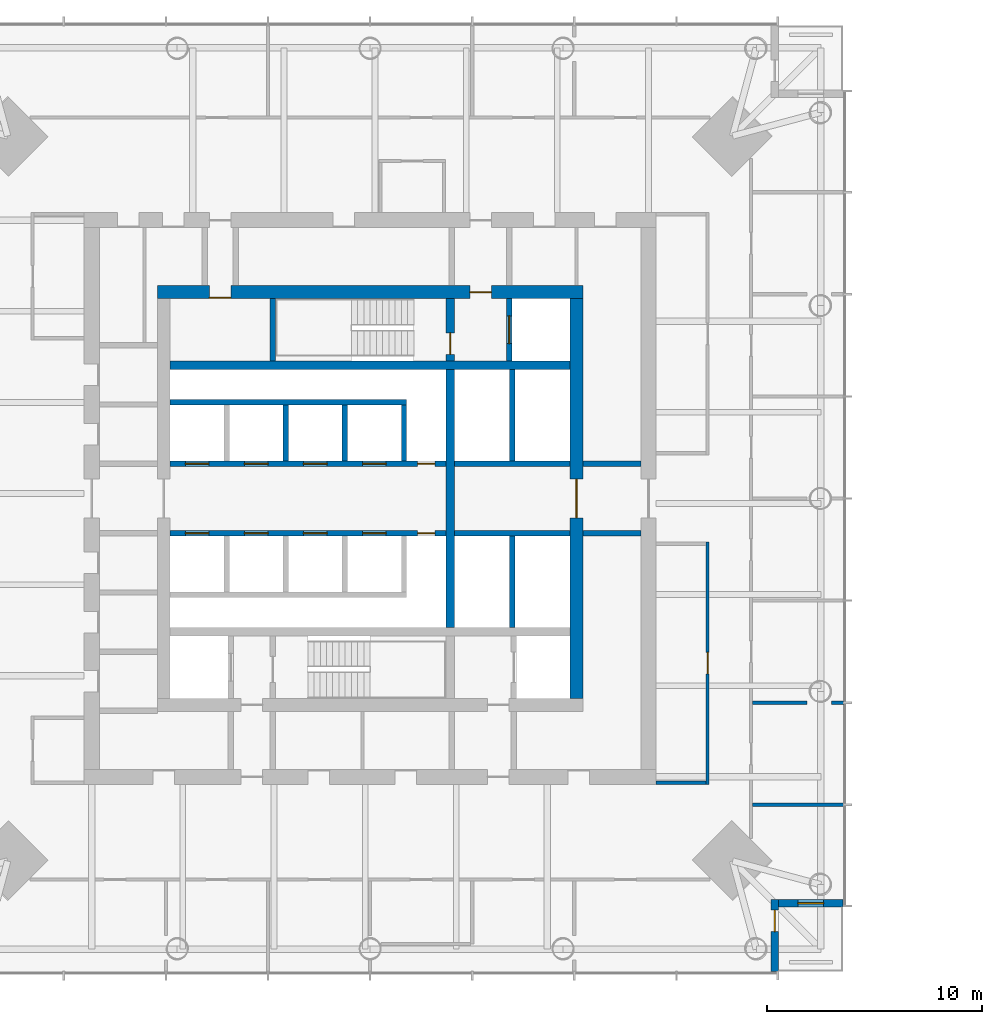
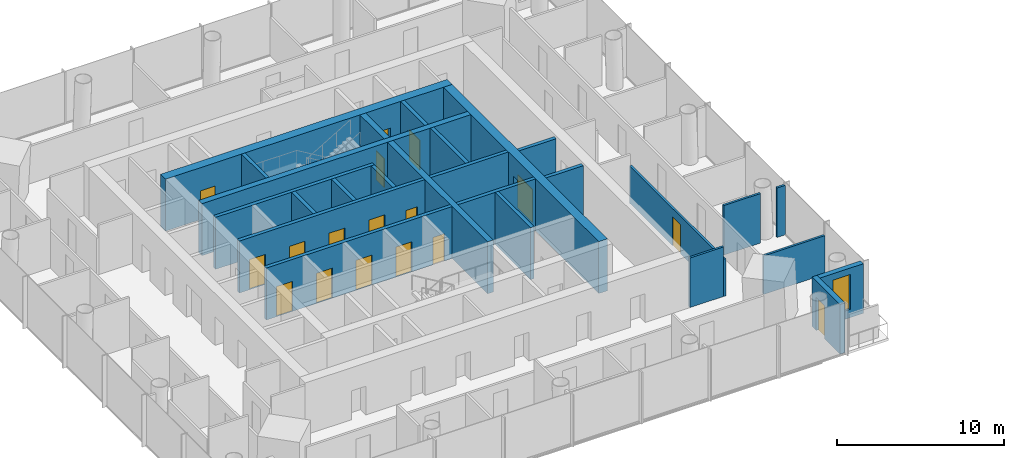
# One storey, part 10 of 19: 26 walls, 17 doors, 1 window, 18 openings.
"""IFC4 building model written with IfcOpenShell, lengths in metres."""

from ifc_helpers import new_model, si_unit, direction, frame, frame_2d, origin, place, context, subcontext, project, spatial, rectangle, extrude, material, layer, layer_set, type_object, element, fill, save


model = new_model("IFC4")

# Units and contexts
model_context = context("Model", 3, precision=1e-05, world=origin(), true_north=direction((0.0, 1.0)))
body_context = subcontext(model_context, "Body", "Model", "MODEL_VIEW")
ifc_project = project(units=[si_unit("LENGTHUNIT", "METRE"), si_unit("AREAUNIT", "SQUARE_METRE"), si_unit("VOLUMEUNIT", "CUBIC_METRE"), si_unit("PLANEANGLEUNIT", "RADIAN"), si_unit("MASSUNIT", "GRAM", prefix="KILO")], contexts=[model_context])

# Site, building, storey
site_placement = place(None, origin())
site = spatial("IfcSite", under=ifc_project, at=site_placement, CompositionType="ELEMENT")
building_placement = place(site_placement, origin())
building = spatial("IfcBuilding", under=site, at=building_placement, Name="Ostroluk Exchange", CompositionType="ELEMENT")
storey_placement = place(building_placement, frame((0.0, 0.0, 116.0)))
storey = spatial("IfcBuildingStorey", under=building, at=storey_placement, Name="L29", CompositionType="ELEMENT", Elevation=116.0)

# Walls
ifc_material_1 = material(Name="Concrete blockwork", Category="masonry")
ifc_layer_1 = layer(ifc_material_1, 0.25)
ifc_layer_set_1 = layer_set([ifc_layer_1], Name="Blockwork stair enclosure wall 250")
wall_type_1 = type_object("IfcWallType", Name="Blockwork stair enclosure wall 250", PredefinedType="SOLIDWALL", material=ifc_layer_set_1)
for number, where, z_axis, x_axis, name in (
    (1, (54.89990234375, 44.375, 0.0), (0.0, 0.0, 1.0), (1.0, 0.0, 0.0), "Lift lobby enclosure wall"),
    (2, (54.89990234375, 47.625, 0.0), (0.0, 0.0, 1.0), (1.0, 0.0, 0.0), "Lift lobby enclosure wall"),
):
    element("IfcWall", number, at=place(storey_placement, frame(where, z_axis=z_axis, x_axis=x_axis)), inside=storey, type_object=wall_type_1, Name=name, PredefinedType="SOLIDWALL", context=body_context, shape_type="SweptSolid", body=[
        extrude(rectangle(XDim=2.7001953125, YDim=0.25, at=frame_2d((1.35009765625, 0.0))), origin(), (0.0, 0.0, 1.0), 3.6201171875),
    ])
ifc_material_2 = material(Name="Concrete C50/60", Category="concrete")
ifc_layer_2 = layer(ifc_material_2, 0.39990234375)
ifc_layer_set_2 = layer_set([ifc_layer_2], Name="Core cross wall 400 C50/60")
wall_type_2 = type_object("IfcWallType", Name="Core cross wall 400 C50/60", PredefinedType="SHEAR", material=ifc_layer_set_2)
wall_1_placement = place(storey_placement, frame((35.699951171875, 52.199951171875, 0.0), z_axis=(0.0, 0.0, 1.0), x_axis=(1.0, 0.0, 0.0)))
element("IfcWall", 3, at=wall_1_placement, inside=storey, type_object=wall_type_2, Name="T1 core wall XN", PredefinedType="SHEAR", context=body_context, shape_type="SweptSolid", body=[
    extrude(rectangle(XDim=18.60009765625, YDim=0.39990234375, at=frame_2d((9.300048828125, 0.0))), origin(), (0.0, 0.0, 1.0), 3.800048828125),
])
wall_2_placement = place(storey_placement, frame((48.72998046875, 40.0, 0.0), z_axis=(0.0, 0.0, 1.0), x_axis=(0.0, 1.0, 0.0)))
element("IfcWall", 4, at=wall_2_placement, inside=storey, type_object=wall_type_2, Name="T1 core wall YE2", PredefinedType="SHEAR", context=body_context, shape_type="SweptSolid", body=[
    extrude(rectangle(XDim=12.0, YDim=0.39990234375, at=frame_2d((6.0, 0.0))), origin(), (0.0, 0.0, 1.0), 3.800048828125),
])

# Wall, opening, door
wall_3_placement = place(storey_placement, frame((48.72998046875, 52.39990234375, 0.0), z_axis=(0.0, 0.0, 1.0), x_axis=(0.0, 1.0, 0.0)))
wall_3 = element("IfcWall", 5, at=wall_3_placement, inside=storey, type_object=wall_type_2, Name="T1 core wall YE3", PredefinedType="SHEAR", context=body_context, shape_type="SweptSolid", body=[
    extrude(rectangle(XDim=2.900146484375, YDim=0.39990234375, at=frame_2d((1.4501953125, 0.0))), origin(), (0.0, 0.0, 1.0), 3.800048828125),
])
opening_1_placement = place(wall_3_placement, frame((0.300048828125, 0.0, 0.0)))
opening_1 = element("IfcOpeningElement", 6, at=opening_1_placement, cuts=wall_3, Name="Opening FD60", PredefinedType="OPENING", context=body_context, shape_type="SweptSolid", body=[
    extrude(rectangle(XDim=1.0, YDim=2.10009765625, at=frame_2d((0.5, 1.050048828125))), frame((0.0, 0.2099609375, 0.0), z_axis=(0.0, -1.0, 0.0), x_axis=(1.0, 0.0, 0.0)), (0.0, 0.0, 1.0), 0.419921875),
])
ifc_material_3 = material(Name="Steel", Category="steel")
door_type_1 = type_object("IfcDoorType", Name="Fire door EI 60 1000 x 2100", OperationType="SINGLE_SWING_LEFT", PredefinedType="DOOR", material=ifc_material_3)
door_1_placement = place(opening_1_placement, origin())
door_1 = element("IfcDoor", 7, at=door_1_placement, inside=storey, type_object=door_type_1, Name="Stair T1-S2 door", OperationType="SINGLE_SWING_LEFT", OverallHeight=2.10009765625, OverallWidth=1.0, PredefinedType="DOOR", context=body_context, shape_type="SweptSolid", body=[
    extrude(rectangle(XDim=1.0, YDim=2.10009765625, at=frame_2d((0.5, 1.050048828125))), frame((0.0, 0.02490234375, 0.0), z_axis=(0.0, -1.0, 0.0), x_axis=(1.0, 0.0, 0.0)), (0.0, 0.0, 1.0), 0.050048828125),
])
fill(opening_1, door_1)

# Wall
ifc_material_4 = material(Name="Concrete C40/50", Category="concrete")
ifc_layer_3 = layer(ifc_material_4, 0.25)
ifc_layer_set_3 = layer_set([ifc_layer_3], Name="Core shaft wall 250")
wall_type_3 = type_object("IfcWallType", Name="Core shaft wall 250", PredefinedType="SHEAR", material=ifc_layer_set_3)
wall_4_placement = place(storey_placement, frame((40.47509765625, 52.39990234375, 0.0), z_axis=(0.0, 0.0, 1.0), x_axis=(0.0, 1.0, 0.0)))
element("IfcWall", 8, at=wall_4_placement, inside=storey, type_object=wall_type_3, Name="Stair shaft wall", PredefinedType="SHEAR", context=body_context, shape_type="SweptSolid", body=[
    extrude(rectangle(XDim=2.900146484375, YDim=0.25, at=frame_2d((1.4501953125, 0.0))), origin(), (0.0, 0.0, 1.0), 3.800048828125),
])

# Wall, opening, door
wall_5_placement = place(storey_placement, frame((51.47509765625, 52.39990234375, 0.0), z_axis=(0.0, 0.0, 1.0), x_axis=(0.0, 1.0, 0.0)))
wall_5 = element("IfcWall", 9, at=wall_5_placement, inside=storey, type_object=wall_type_3, Name="Firefighting lift shaft wall", PredefinedType="SHEAR", context=body_context, shape_type="SweptSolid", body=[
    extrude(rectangle(XDim=2.900146484375, YDim=0.25, at=frame_2d((1.4501953125, 0.0))), origin(), (0.0, 0.0, 1.0), 3.800048828125),
])
opening_2_placement = place(wall_5_placement, frame((0.800048828125, 0.0, 0.0)))
opening_2 = element("IfcOpeningElement", 10, at=opening_2_placement, cuts=wall_5, Name="Opening LD2", PredefinedType="OPENING", context=body_context, shape_type="SweptSolid", body=[
    extrude(rectangle(XDim=1.300048828125, YDim=2.199951171875, at=frame_2d((0.64990234375, 1.10009765625))), frame((0.0, 0.135009765625, 0.0), z_axis=(0.0, -1.0, 0.0), x_axis=(1.0, 0.0, 0.0)), (0.0, 0.0, 1.0), 0.27001953125),
])
ifc_material_5 = material(Name="Stainless steel", Category="steel")
door_type_2 = type_object("IfcDoorType", Name="Lift landing door E 60 1300 x 2200", OperationType="DOUBLE_DOOR_SLIDING", PredefinedType="DOOR", material=ifc_material_5)
door_2_placement = place(opening_2_placement, origin())
door_2 = element("IfcDoor", 11, at=door_2_placement, inside=storey, type_object=door_type_2, Name="Lift FL2 landing door", OperationType="DOUBLE_DOOR_SLIDING", OverallHeight=2.199951171875, OverallWidth=1.300048828125, PredefinedType="DOOR", context=body_context, shape_type="SweptSolid", body=[
    extrude(rectangle(XDim=1.300048828125, YDim=2.199951171875, at=frame_2d((0.64990234375, 1.10009765625))), frame((0.0, 0.02490234375, 0.0), z_axis=(0.0, -1.0, 0.0), x_axis=(1.0, 0.0, 0.0)), (0.0, 0.0, 1.0), 0.050048828125),
])
fill(opening_2, door_2)

# Walls
for number, where, z_axis, x_axis, name in (
    (12, (41.074951171875, 47.75, 0.0), (0.0, 0.0, 1.0), (0.0, 1.0, 0.0), "Lift shaft wall"),
    (13, (43.824951171875, 47.75, 0.0), (0.0, 0.0, 1.0), (0.0, 1.0, 0.0), "Lift shaft wall"),
    (14, (46.574951171875, 47.75, 0.0), (0.0, 0.0, 1.0), (0.0, 1.0, 0.0), "Lift shaft wall"),
):
    element("IfcWall", number, at=place(storey_placement, frame(where, z_axis=z_axis, x_axis=x_axis)), inside=storey, type_object=wall_type_3, Name=name, PredefinedType="SHEAR", context=body_context, shape_type="SweptSolid", body=[
        extrude(rectangle(XDim=2.60009765625, YDim=0.25, at=frame_2d((1.300048828125, 0.0))), origin(), (0.0, 0.0, 1.0), 3.800048828125),
    ])
wall_6_placement = place(storey_placement, frame((35.699951171875, 50.47509765625, 0.0), z_axis=(0.0, 0.0, 1.0), x_axis=(1.0, 0.0, 0.0)))
element("IfcWall", 15, at=wall_6_placement, inside=storey, type_object=wall_type_3, Name="Lift shaft wall", PredefinedType="SHEAR", context=body_context, shape_type="SweptSolid", body=[
    extrude(rectangle(XDim=11.0, YDim=0.25, at=frame_2d((5.5, 0.0))), origin(), (0.0, 0.0, 1.0), 3.800048828125),
])

# Wall, openings, doors
wall_7_placement = place(storey_placement, frame((35.699951171875, 47.625, 0.0), z_axis=(0.0, 0.0, 1.0), x_axis=(1.0, 0.0, 0.0)))
wall_7 = element("IfcWall", 16, at=wall_7_placement, inside=storey, type_object=wall_type_3, Name="Lift shaft front wall", PredefinedType="SHEAR", context=body_context, shape_type="SweptSolid", body=[
    extrude(rectangle(XDim=12.830078125, YDim=0.25, at=frame_2d((6.4150390625, 0.0))), origin(), (0.0, 0.0, 1.0), 3.800048828125),
])
opening_3_placement = place(wall_7_placement, frame((0.699951171875, 0.0, 0.0)))
opening_3 = element("IfcOpeningElement", 17, at=opening_3_placement, cuts=wall_7, Name="Opening LD", PredefinedType="OPENING", context=body_context, shape_type="SweptSolid", body=[
    extrude(rectangle(XDim=1.10009765625, YDim=2.199951171875, at=frame_2d((0.550048828125, 1.10009765625))), frame((0.0, 0.135009765625, 0.0), z_axis=(0.0, -1.0, 0.0), x_axis=(1.0, 0.0, 0.0)), (0.0, 0.0, 1.0), 0.27001953125),
])
opening_4_placement = place(wall_7_placement, frame((3.449951171875, 0.0, 0.0)))
opening_4 = element("IfcOpeningElement", 18, at=opening_4_placement, cuts=wall_7, Name="Opening LD", PredefinedType="OPENING", context=body_context, shape_type="SweptSolid", body=[
    extrude(rectangle(XDim=1.10009765625, YDim=2.199951171875, at=frame_2d((0.550048828125, 1.10009765625))), frame((0.0, 0.135009765625, 0.0), z_axis=(0.0, -1.0, 0.0), x_axis=(1.0, 0.0, 0.0)), (0.0, 0.0, 1.0), 0.27001953125),
])
opening_5_placement = place(wall_7_placement, frame((6.199951171875, 0.0, 0.0)))
opening_5 = element("IfcOpeningElement", 19, at=opening_5_placement, cuts=wall_7, Name="Opening LD", PredefinedType="OPENING", context=body_context, shape_type="SweptSolid", body=[
    extrude(rectangle(XDim=1.10009765625, YDim=2.199951171875, at=frame_2d((0.550048828125, 1.10009765625))), frame((0.0, 0.135009765625, 0.0), z_axis=(0.0, -1.0, 0.0), x_axis=(1.0, 0.0, 0.0)), (0.0, 0.0, 1.0), 0.27001953125),
])
opening_6_placement = place(wall_7_placement, frame((8.949951171875, 0.0, 0.0)))
opening_6 = element("IfcOpeningElement", 20, at=opening_6_placement, cuts=wall_7, Name="Opening LD", PredefinedType="OPENING", context=body_context, shape_type="SweptSolid", body=[
    extrude(rectangle(XDim=1.10009765625, YDim=2.199951171875, at=frame_2d((0.550048828125, 1.10009765625))), frame((0.0, 0.135009765625, 0.0), z_axis=(0.0, -1.0, 0.0), x_axis=(1.0, 0.0, 0.0)), (0.0, 0.0, 1.0), 0.27001953125),
])
opening_7_placement = place(wall_7_placement, frame((11.514892578125, 0.0, 0.0)))
opening_7 = element("IfcOpeningElement", 21, at=opening_7_placement, cuts=wall_7, Name="Opening RD60", PredefinedType="OPENING", context=body_context, shape_type="SweptSolid", body=[
    extrude(rectangle(XDim=0.800048828125, YDim=2.0, at=frame_2d((0.39990234375, 1.0))), frame((0.0, 0.135009765625, 0.0), z_axis=(0.0, -1.0, 0.0), x_axis=(1.0, 0.0, 0.0)), (0.0, 0.0, 1.0), 0.27001953125),
])
ifc_material_6 = material(Name="Stainless steel", Category="steel")
door_type_3 = type_object("IfcDoorType", Name="Lift landing door E 60 1100 x 2200", OperationType="DOUBLE_DOOR_SLIDING", PredefinedType="DOOR", material=ifc_material_6)
door_3_placement = place(opening_3_placement, origin())
door_3 = element("IfcDoor", 22, at=door_3_placement, inside=storey, type_object=door_type_3, Name="Lift PL-M1 landing door", OperationType="DOUBLE_DOOR_SLIDING", OverallHeight=2.199951171875, OverallWidth=1.10009765625, PredefinedType="DOOR", context=body_context, shape_type="SweptSolid", body=[
    extrude(rectangle(XDim=1.10009765625, YDim=2.199951171875, at=frame_2d((0.550048828125, 1.10009765625))), frame((0.0, 0.02490234375, 0.0), z_axis=(0.0, -1.0, 0.0), x_axis=(1.0, 0.0, 0.0)), (0.0, 0.0, 1.0), 0.050048828125),
])
fill(opening_3, door_3)
door_4_placement = place(opening_4_placement, origin())
door_4 = element("IfcDoor", 23, at=door_4_placement, inside=storey, type_object=door_type_3, Name="Lift PL-M2 landing door", OperationType="DOUBLE_DOOR_SLIDING", OverallHeight=2.199951171875, OverallWidth=1.10009765625, PredefinedType="DOOR", context=body_context, shape_type="SweptSolid", body=[
    extrude(rectangle(XDim=1.10009765625, YDim=2.199951171875, at=frame_2d((0.550048828125, 1.10009765625))), frame((0.0, 0.02490234375, 0.0), z_axis=(0.0, -1.0, 0.0), x_axis=(1.0, 0.0, 0.0)), (0.0, 0.0, 1.0), 0.050048828125),
])
fill(opening_4, door_4)
door_5_placement = place(opening_5_placement, origin())
door_5 = element("IfcDoor", 24, at=door_5_placement, inside=storey, type_object=door_type_3, Name="Lift PL-M3 landing door", OperationType="DOUBLE_DOOR_SLIDING", OverallHeight=2.199951171875, OverallWidth=1.10009765625, PredefinedType="DOOR", context=body_context, shape_type="SweptSolid", body=[
    extrude(rectangle(XDim=1.10009765625, YDim=2.199951171875, at=frame_2d((0.550048828125, 1.10009765625))), frame((0.0, 0.02490234375, 0.0), z_axis=(0.0, -1.0, 0.0), x_axis=(1.0, 0.0, 0.0)), (0.0, 0.0, 1.0), 0.050048828125),
])
fill(opening_5, door_5)
door_6_placement = place(opening_6_placement, origin())
door_6 = element("IfcDoor", 25, at=door_6_placement, inside=storey, type_object=door_type_3, Name="Lift PL-M4 landing door", OperationType="DOUBLE_DOOR_SLIDING", OverallHeight=2.199951171875, OverallWidth=1.10009765625, PredefinedType="DOOR", context=body_context, shape_type="SweptSolid", body=[
    extrude(rectangle(XDim=1.10009765625, YDim=2.199951171875, at=frame_2d((0.550048828125, 1.10009765625))), frame((0.0, 0.02490234375, 0.0), z_axis=(0.0, -1.0, 0.0), x_axis=(1.0, 0.0, 0.0)), (0.0, 0.0, 1.0), 0.050048828125),
])
fill(opening_6, door_6)
ifc_material_7 = material(Name="Steel", Category="steel")
door_type_4 = type_object("IfcDoorType", Name="Riser access door EI 60 800 x 2000", OperationType="SINGLE_SWING_LEFT", PredefinedType="DOOR", material=ifc_material_7)
door_7_placement = place(opening_7_placement, origin())
door_7 = element("IfcDoor", 26, at=door_7_placement, inside=storey, type_object=door_type_4, Name="Riser access door", OperationType="SINGLE_SWING_RIGHT", OverallHeight=2.0, OverallWidth=0.800048828125, PredefinedType="DOOR", context=body_context, shape_type="SweptSolid", body=[
    extrude(rectangle(XDim=0.800048828125, YDim=2.0, at=frame_2d((0.39990234375, 1.0))), frame((0.0, 0.02490234375, 0.0), z_axis=(0.0, -1.0, 0.0), x_axis=(1.0, 0.0, 0.0)), (0.0, 0.0, 1.0), 0.050048828125),
])
fill(opening_7, door_7)

wall_8_placement = place(storey_placement, frame((35.699951171875, 44.375, 0.0), z_axis=(0.0, 0.0, 1.0), x_axis=(1.0, 0.0, 0.0)))
wall_8 = element("IfcWall", 27, at=wall_8_placement, inside=storey, type_object=wall_type_3, Name="Lift shaft front wall", PredefinedType="SHEAR", context=body_context, shape_type="SweptSolid", body=[
    extrude(rectangle(XDim=12.830078125, YDim=0.25, at=frame_2d((6.4150390625, 0.0))), origin(), (0.0, 0.0, 1.0), 3.800048828125),
])
opening_8_placement = place(wall_8_placement, frame((0.699951171875, 0.0, 0.0)))
opening_8 = element("IfcOpeningElement", 28, at=opening_8_placement, cuts=wall_8, Name="Opening LD", PredefinedType="OPENING", context=body_context, shape_type="SweptSolid", body=[
    extrude(rectangle(XDim=1.10009765625, YDim=2.199951171875, at=frame_2d((0.550048828125, 1.10009765625))), frame((0.0, 0.135009765625, 0.0), z_axis=(0.0, -1.0, 0.0), x_axis=(1.0, 0.0, 0.0)), (0.0, 0.0, 1.0), 0.27001953125),
])
opening_9_placement = place(wall_8_placement, frame((3.449951171875, 0.0, 0.0)))
opening_9 = element("IfcOpeningElement", 29, at=opening_9_placement, cuts=wall_8, Name="Opening LD", PredefinedType="OPENING", context=body_context, shape_type="SweptSolid", body=[
    extrude(rectangle(XDim=1.10009765625, YDim=2.199951171875, at=frame_2d((0.550048828125, 1.10009765625))), frame((0.0, 0.135009765625, 0.0), z_axis=(0.0, -1.0, 0.0), x_axis=(1.0, 0.0, 0.0)), (0.0, 0.0, 1.0), 0.27001953125),
])
opening_10_placement = place(wall_8_placement, frame((6.199951171875, 0.0, 0.0)))
opening_10 = element("IfcOpeningElement", 30, at=opening_10_placement, cuts=wall_8, Name="Opening LD", PredefinedType="OPENING", context=body_context, shape_type="SweptSolid", body=[
    extrude(rectangle(XDim=1.10009765625, YDim=2.199951171875, at=frame_2d((0.550048828125, 1.10009765625))), frame((0.0, 0.135009765625, 0.0), z_axis=(0.0, -1.0, 0.0), x_axis=(1.0, 0.0, 0.0)), (0.0, 0.0, 1.0), 0.27001953125),
])
opening_11_placement = place(wall_8_placement, frame((8.949951171875, 0.0, 0.0)))
opening_11 = element("IfcOpeningElement", 31, at=opening_11_placement, cuts=wall_8, Name="Opening LD", PredefinedType="OPENING", context=body_context, shape_type="SweptSolid", body=[
    extrude(rectangle(XDim=1.10009765625, YDim=2.199951171875, at=frame_2d((0.550048828125, 1.10009765625))), frame((0.0, 0.135009765625, 0.0), z_axis=(0.0, -1.0, 0.0), x_axis=(1.0, 0.0, 0.0)), (0.0, 0.0, 1.0), 0.27001953125),
])
opening_12_placement = place(wall_8_placement, frame((11.514892578125, 0.0, 0.0)))
opening_12 = element("IfcOpeningElement", 32, at=opening_12_placement, cuts=wall_8, Name="Opening RD60", PredefinedType="OPENING", context=body_context, shape_type="SweptSolid", body=[
    extrude(rectangle(XDim=0.800048828125, YDim=2.0, at=frame_2d((0.39990234375, 1.0))), frame((0.0, 0.135009765625, 0.0), z_axis=(0.0, -1.0, 0.0), x_axis=(1.0, 0.0, 0.0)), (0.0, 0.0, 1.0), 0.27001953125),
])
door_8_placement = place(opening_8_placement, origin())
door_8 = element("IfcDoor", 33, at=door_8_placement, inside=storey, type_object=door_type_3, Name="Lift PL-M5 landing door", OperationType="DOUBLE_DOOR_SLIDING", OverallHeight=2.199951171875, OverallWidth=1.10009765625, PredefinedType="DOOR", context=body_context, shape_type="SweptSolid", body=[
    extrude(rectangle(XDim=1.10009765625, YDim=2.199951171875, at=frame_2d((0.550048828125, 1.10009765625))), frame((0.0, 0.02490234375, 0.0), z_axis=(0.0, -1.0, 0.0), x_axis=(1.0, 0.0, 0.0)), (0.0, 0.0, 1.0), 0.050048828125),
])
fill(opening_8, door_8)
door_9_placement = place(opening_9_placement, origin())
door_9 = element("IfcDoor", 34, at=door_9_placement, inside=storey, type_object=door_type_3, Name="Lift PL-M6 landing door", OperationType="DOUBLE_DOOR_SLIDING", OverallHeight=2.199951171875, OverallWidth=1.10009765625, PredefinedType="DOOR", context=body_context, shape_type="SweptSolid", body=[
    extrude(rectangle(XDim=1.10009765625, YDim=2.199951171875, at=frame_2d((0.550048828125, 1.10009765625))), frame((0.0, 0.02490234375, 0.0), z_axis=(0.0, -1.0, 0.0), x_axis=(1.0, 0.0, 0.0)), (0.0, 0.0, 1.0), 0.050048828125),
])
fill(opening_9, door_9)
door_10_placement = place(opening_10_placement, origin())
door_10 = element("IfcDoor", 35, at=door_10_placement, inside=storey, type_object=door_type_3, Name="Lift PL-M7 landing door", OperationType="DOUBLE_DOOR_SLIDING", OverallHeight=2.199951171875, OverallWidth=1.10009765625, PredefinedType="DOOR", context=body_context, shape_type="SweptSolid", body=[
    extrude(rectangle(XDim=1.10009765625, YDim=2.199951171875, at=frame_2d((0.550048828125, 1.10009765625))), frame((0.0, 0.02490234375, 0.0), z_axis=(0.0, -1.0, 0.0), x_axis=(1.0, 0.0, 0.0)), (0.0, 0.0, 1.0), 0.050048828125),
])
fill(opening_10, door_10)
door_11_placement = place(opening_11_placement, origin())
door_11 = element("IfcDoor", 36, at=door_11_placement, inside=storey, type_object=door_type_3, Name="Lift PL-M8 landing door", OperationType="DOUBLE_DOOR_SLIDING", OverallHeight=2.199951171875, OverallWidth=1.10009765625, PredefinedType="DOOR", context=body_context, shape_type="SweptSolid", body=[
    extrude(rectangle(XDim=1.10009765625, YDim=2.199951171875, at=frame_2d((0.550048828125, 1.10009765625))), frame((0.0, 0.02490234375, 0.0), z_axis=(0.0, -1.0, 0.0), x_axis=(1.0, 0.0, 0.0)), (0.0, 0.0, 1.0), 0.050048828125),
])
fill(opening_11, door_11)
door_12_placement = place(opening_12_placement, origin())
door_12 = element("IfcDoor", 37, at=door_12_placement, inside=storey, type_object=door_type_4, Name="Riser access door", OperationType="SINGLE_SWING_RIGHT", OverallHeight=2.0, OverallWidth=0.800048828125, PredefinedType="DOOR", context=body_context, shape_type="SweptSolid", body=[
    extrude(rectangle(XDim=0.800048828125, YDim=2.0, at=frame_2d((0.39990234375, 1.0))), frame((0.0, 0.02490234375, 0.0), z_axis=(0.0, -1.0, 0.0), x_axis=(1.0, 0.0, 0.0)), (0.0, 0.0, 1.0), 0.050048828125),
])
fill(opening_12, door_12)

# Walls
wall_9_placement = place(storey_placement, frame((51.614990234375, 47.75, 0.0), z_axis=(0.0, 0.0, 1.0), x_axis=(0.0, 1.0, 0.0)))
element("IfcWall", 38, at=wall_9_placement, inside=storey, type_object=wall_type_3, Name="Lift shaft wall", PredefinedType="SHEAR", context=body_context, shape_type="SweptSolid", body=[
    extrude(rectangle(XDim=4.25, YDim=0.25, at=frame_2d((2.125, 0.0))), origin(), (0.0, 0.0, 1.0), 3.800048828125),
])
wall_10_placement = place(storey_placement, frame((48.929931640625, 47.625, 0.0), z_axis=(0.0, 0.0, 1.0), x_axis=(1.0, 0.0, 0.0)))
element("IfcWall", 39, at=wall_10_placement, inside=storey, type_object=wall_type_3, Name="Lift shaft front wall", PredefinedType="SHEAR", context=body_context, shape_type="SweptSolid", body=[
    extrude(rectangle(XDim=5.3701171875, YDim=0.25, at=frame_2d((2.68505859375, 0.0))), origin(), (0.0, 0.0, 1.0), 3.800048828125),
])
wall_11_placement = place(storey_placement, frame((51.614990234375, 44.25, 0.0), z_axis=(0.0, 0.0, 1.0), x_axis=(0.0, -1.0, 0.0)))
element("IfcWall", 40, at=wall_11_placement, inside=storey, type_object=wall_type_3, Name="Lift shaft wall", PredefinedType="SHEAR", context=body_context, shape_type="SweptSolid", body=[
    extrude(rectangle(XDim=4.25, YDim=0.25, at=frame_2d((2.125, 0.0))), origin(), (0.0, 0.0, 1.0), 3.800048828125),
])
wall_12_placement = place(storey_placement, frame((48.929931640625, 44.375, 0.0), z_axis=(0.0, 0.0, 1.0), x_axis=(1.0, 0.0, 0.0)))
element("IfcWall", 41, at=wall_12_placement, inside=storey, type_object=wall_type_3, Name="Lift shaft front wall", PredefinedType="SHEAR", context=body_context, shape_type="SweptSolid", body=[
    extrude(rectangle(XDim=5.3701171875, YDim=0.25, at=frame_2d((2.68505859375, 0.0))), origin(), (0.0, 0.0, 1.0), 3.800048828125),
])

# Wall, openings, doors
ifc_material_8 = material(Name="Concrete C50/60", Category="concrete")
ifc_layer_4 = layer(ifc_material_8, 0.60009765625)
ifc_layer_set_4 = layer_set([ifc_layer_4], Name="Core wall 600 C50/60")
wall_type_4 = type_object("IfcWallType", Name="Core wall 600 C50/60", PredefinedType="SHEAR", material=ifc_layer_set_4)
wall_13_placement = place(storey_placement, frame((35.10009765625, 55.60009765625, 0.0), z_axis=(0.0, 0.0, 1.0), x_axis=(1.0, 0.0, 0.0)))
wall_13 = element("IfcWall", 42, at=wall_13_placement, inside=storey, type_object=wall_type_4, Name="T1 core wall N", PredefinedType="SHEAR", context=body_context, shape_type="SweptSolid", body=[
    extrude(rectangle(XDim=19.7998046875, YDim=0.60009765625, at=frame_2d((9.89990234375, 0.0))), origin(), (0.0, 0.0, 1.0), 3.800048828125),
])
opening_13_placement = place(wall_13_placement, frame((14.5400390625, 0.0, 0.0)))
opening_13 = element("IfcOpeningElement", 43, at=opening_13_placement, cuts=wall_13, Name="Opening FD60", PredefinedType="OPENING", context=body_context, shape_type="SweptSolid", body=[
    extrude(rectangle(XDim=1.0, YDim=2.10009765625, at=frame_2d((0.5, 1.050048828125))), frame((0.0, 0.31005859375, 0.0), z_axis=(0.0, -1.0, 0.0), x_axis=(1.0, 0.0, 0.0)), (0.0, 0.0, 1.0), 0.6201171875),
])
opening_14_placement = place(wall_13_placement, frame((2.425048828125, 0.0, 0.0)))
opening_14 = element("IfcOpeningElement", 44, at=opening_14_placement, cuts=wall_13, Name="Opening FD60", PredefinedType="OPENING", context=body_context, shape_type="SweptSolid", body=[
    extrude(rectangle(XDim=1.0, YDim=2.10009765625, at=frame_2d((0.5, 1.050048828125))), frame((0.0, 0.31005859375, 0.0), z_axis=(0.0, -1.0, 0.0), x_axis=(1.0, 0.0, 0.0)), (0.0, 0.0, 1.0), 0.6201171875),
])
door_13_placement = place(opening_13_placement, origin())
door_13 = element("IfcDoor", 45, at=door_13_placement, inside=storey, type_object=door_type_1, Name="Firefighting lobby door", OperationType="SINGLE_SWING_RIGHT", OverallHeight=2.10009765625, OverallWidth=1.0, PredefinedType="DOOR", context=body_context, shape_type="SweptSolid", body=[
    extrude(rectangle(XDim=1.0, YDim=2.10009765625, at=frame_2d((0.5, 1.050048828125))), frame((0.0, 0.02490234375, 0.0), z_axis=(0.0, -1.0, 0.0), x_axis=(1.0, 0.0, 0.0)), (0.0, 0.0, 1.0), 0.050048828125),
])
fill(opening_13, door_13)
door_14_placement = place(opening_14_placement, origin())
door_14 = element("IfcDoor", 46, at=door_14_placement, inside=storey, type_object=door_type_1, Name="Tea point door", OperationType="SINGLE_SWING_LEFT", OverallHeight=2.10009765625, OverallWidth=1.0, PredefinedType="DOOR", context=body_context, shape_type="SweptSolid", body=[
    extrude(rectangle(XDim=1.0, YDim=2.10009765625, at=frame_2d((0.5, 1.050048828125))), frame((0.0, -0.23974609375, 0.0), z_axis=(0.0, -1.0, 0.0), x_axis=(1.0, 0.0, 0.0)), (0.0, 0.0, 1.0), 0.050048828125),
])
fill(opening_14, door_14)

# Wall, opening, door
wall_14_placement = place(storey_placement, frame((54.60009765625, 36.699951171875, 0.0), z_axis=(0.0, 0.0, 1.0), x_axis=(0.0, 1.0, 0.0)))
wall_14 = element("IfcWall", 47, at=wall_14_placement, inside=storey, type_object=wall_type_4, Name="T1 core wall E", PredefinedType="SHEAR", context=body_context, shape_type="SweptSolid", body=[
    extrude(rectangle(XDim=18.60009765625, YDim=0.60009765625, at=frame_2d((9.300048828125, 0.0))), origin(), (0.0, 0.0, 1.0), 3.800048828125),
])
opening_15_placement = place(wall_14_placement, frame((8.39990234375, 0.0, 0.0)))
opening_15 = element("IfcOpeningElement", 48, at=opening_15_placement, cuts=wall_14, Name="Opening FD30D", PredefinedType="OPENING", context=body_context, shape_type="SweptSolid", body=[
    extrude(rectangle(XDim=1.800048828125, YDim=2.39990234375, at=frame_2d((0.89990234375, 1.199951171875))), frame((0.0, 0.31005859375, 0.0), z_axis=(0.0, -1.0, 0.0), x_axis=(1.0, 0.0, 0.0)), (0.0, 0.0, 1.0), 0.6201171875),
])
ifc_material_9 = material(Name="Timber", Category="wood")
door_type_5 = type_object("IfcDoorType", Name="Lobby double door EI 30 1800 x 2400", OperationType="DOUBLE_DOOR_SINGLE_SWING", PredefinedType="DOOR", material=ifc_material_9)
door_15_placement = place(opening_15_placement, origin())
door_15 = element("IfcDoor", 49, at=door_15_placement, inside=storey, type_object=door_type_5, Name="Lift lobby doors", OperationType="DOUBLE_DOOR_SINGLE_SWING", OverallHeight=2.39990234375, OverallWidth=1.800048828125, PredefinedType="DOOR", context=body_context, shape_type="SweptSolid", body=[
    extrude(rectangle(XDim=1.800048828125, YDim=2.39990234375, at=frame_2d((0.89990234375, 1.199951171875))), frame((0.0, 0.02490234375, 0.0), z_axis=(0.0, -1.0, 0.0), x_axis=(1.0, 0.0, 0.0)), (0.0, 0.0, 1.0), 0.050048828125),
])
fill(opening_15, door_15)

ifc_material_10 = material(Name="Limestone", Category="masonry")
ifc_layer_5 = layer(ifc_material_10, 0.35009765625)
ifc_layer_set_5 = layer_set([ifc_layer_5], Name="Limestone facade wall 350")
wall_type_5 = type_object("IfcWallType", Name="Limestone facade wall 350", PredefinedType="SOLIDWALL", material=ifc_layer_set_5)
wall_15_placement = place(storey_placement, frame((63.824951171875, 24.0, 0.0), z_axis=(0.0, 0.0, 1.0), x_axis=(0.0, 1.0, 0.0)))
wall_15 = element("IfcWall", 50, at=wall_15_placement, inside=storey, type_object=wall_type_5, Name="Office tower SE corner wall L29 a", PredefinedType="SOLIDWALL", context=body_context, shape_type="SweptSolid", body=[
    extrude(rectangle(XDim=3.35009765625, YDim=0.35009765625, at=frame_2d((1.675048828125, 0.0))), origin(), (0.0, 0.0, 1.0), 3.6201171875),
])
opening_16_placement = place(wall_15_placement, frame((1.85009765625, 0.0, 0.0)))
opening_16 = element("IfcOpeningElement", 51, at=opening_16_placement, cuts=wall_15, Name="Opening D-B1", PredefinedType="OPENING", context=body_context, shape_type="SweptSolid", body=[
    extrude(rectangle(XDim=1.0, YDim=2.39990234375, at=frame_2d((0.5, 1.199951171875))), frame((0.0, 0.18505859375, 0.0), z_axis=(0.0, -1.0, 0.0), x_axis=(1.0, 0.0, 0.0)), (0.0, 0.0, 1.0), 0.3701171875),
])
ifc_material_11 = material(Name="Bronze framed glazed door", Category="aluminium")
door_type_6 = type_object("IfcDoorType", Name="Balcony door 1000 x 2400", OperationType="SINGLE_SWING_LEFT", PredefinedType="DOOR", material=ifc_material_11)
door_16_placement = place(opening_16_placement, origin())
door_16 = element("IfcDoor", 52, at=door_16_placement, inside=storey, type_object=door_type_6, Name="Office tower SE balcony door L29", OperationType="SINGLE_SWING_RIGHT", OverallHeight=2.39990234375, OverallWidth=1.0, PredefinedType="DOOR", context=body_context, shape_type="SweptSolid", body=[
    extrude(rectangle(XDim=1.0, YDim=2.39990234375, at=frame_2d((0.5, 1.199951171875))), frame((0.0, 0.02490234375, 0.0), z_axis=(0.0, -1.0, 0.0), x_axis=(1.0, 0.0, 0.0)), (0.0, 0.0, 1.0), 0.050048828125),
])
fill(opening_16, door_16)

# Wall, opening, window
wall_16_placement = place(storey_placement, frame((64.0, 27.175048828125, 0.0), z_axis=(0.0, 0.0, 1.0), x_axis=(1.0, 0.0, 0.0)))
wall_16 = element("IfcWall", 53, at=wall_16_placement, inside=storey, type_object=wall_type_5, Name="Office tower SE corner wall L29 b", PredefinedType="SOLIDWALL", context=body_context, shape_type="SweptSolid", body=[
    extrude(rectangle(XDim=3.0, YDim=0.35009765625, at=frame_2d((1.5, 0.0))), origin(), (0.0, 0.0, 1.0), 3.6201171875),
])
opening_17_placement = place(wall_16_placement, frame((0.89990234375, 0.0, 0.60009765625)))
opening_17 = element("IfcOpeningElement", 54, at=opening_17_placement, cuts=wall_16, Name="Opening WN-L1", PredefinedType="OPENING", context=body_context, shape_type="SweptSolid", body=[
    extrude(rectangle(XDim=1.199951171875, YDim=2.550048828125, at=frame_2d((0.60009765625, 1.27490234375))), frame((0.0, 0.18505859375, 0.0), z_axis=(0.0, -1.0, 0.0), x_axis=(1.0, 0.0, 0.0)), (0.0, 0.0, 1.0), 0.3701171875),
])
ifc_material_12 = material(Name="Laminated clear glass", Category="glass")
window_type = type_object("IfcWindowType", Name="Lancet window 1200 x 2550", PartitioningType="SINGLE_PANEL", PredefinedType="WINDOW", material=ifc_material_12)
window_placement = place(opening_17_placement, origin())
window = element("IfcWindow", 55, at=window_placement, inside=storey, type_object=window_type, Name="Office tower SE lancet window L29", OverallHeight=2.550048828125, OverallWidth=1.199951171875, PartitioningType="SINGLE_PANEL", PredefinedType="WINDOW", context=body_context, shape_type="SweptSolid", body=[
    extrude(rectangle(XDim=1.199951171875, YDim=2.550048828125, at=frame_2d((0.60009765625, 1.27490234375))), frame((0.0, 0.030029296875, 0.0), z_axis=(0.0, -1.0, 0.0), x_axis=(1.0, 0.0, 0.0)), (0.0, 0.0, 1.0), 0.06005859375),
])
fill(opening_17, window)

# Wall, opening, door
ifc_material_13 = material(Name="Gypsum plasterboard partition", Category="gypsum")
ifc_layer_6 = layer(ifc_material_13, 0.14990234375)
ifc_layer_set_6 = layer_set([ifc_layer_6], Name="Plasterboard partition 150")
wall_type_6 = type_object("IfcWallType", Name="Plasterboard partition 150", PredefinedType="PARTITIONING", material=ifc_layer_set_6)
wall_17_placement = place(storey_placement, frame((60.699951171875, 32.699951171875, 0.0), z_axis=(0.0, 0.0, 1.0), x_axis=(0.0, 1.0, 0.0)))
wall_17 = element("IfcWall", 56, at=wall_17_placement, inside=storey, type_object=wall_type_6, Name="Partition", PredefinedType="PARTITIONING", context=body_context, shape_type="SweptSolid", body=[
    extrude(rectangle(XDim=11.275146484375, YDim=0.14990234375, at=frame_2d((5.6376953125, 0.0))), origin(), (0.0, 0.0, 1.0), 2.719970703125),
])
opening_18_placement = place(wall_17_placement, frame((5.137451171875, 0.0, 0.0)))
opening_18 = element("IfcOpeningElement", 57, at=opening_18_placement, cuts=wall_17, Name="Opening D-03", PredefinedType="OPENING", context=body_context, shape_type="SweptSolid", body=[
    extrude(rectangle(XDim=1.0, YDim=2.10009765625, at=frame_2d((0.5, 1.050048828125))), frame((0.0, 0.0849609375, 0.0), z_axis=(0.0, -1.0, 0.0), x_axis=(1.0, 0.0, 0.0)), (0.0, 0.0, 1.0), 0.169921875),
])
ifc_material_14 = material(Name="Timber", Category="wood")
door_type_7 = type_object("IfcDoorType", Name="Internal door 1000 x 2100", OperationType="SINGLE_SWING_LEFT", PredefinedType="DOOR", material=ifc_material_14)
door_17_placement = place(opening_18_placement, origin())
door_17 = element("IfcDoor", 58, at=door_17_placement, inside=storey, type_object=door_type_7, Name="Project room door", OperationType="SINGLE_SWING_RIGHT", OverallHeight=2.10009765625, OverallWidth=1.0, PredefinedType="DOOR", context=body_context, shape_type="SweptSolid", body=[
    extrude(rectangle(XDim=1.0, YDim=2.10009765625, at=frame_2d((0.5, 1.050048828125))), frame((0.0, 0.02490234375, 0.0), z_axis=(0.0, -1.0, 0.0), x_axis=(1.0, 0.0, 0.0)), (0.0, 0.0, 1.0), 0.050048828125),
])
fill(opening_18, door_17)

# Walls
wall_18_placement = place(storey_placement, frame((58.300048828125, 32.77490234375, 0.0), z_axis=(0.0, 0.0, 1.0), x_axis=(1.0, 0.0, 0.0)))
element("IfcWall", 59, at=wall_18_placement, inside=storey, type_object=wall_type_6, Name="Partition", PredefinedType="PARTITIONING", context=body_context, shape_type="SweptSolid", body=[
    extrude(rectangle(XDim=2.324951171875, YDim=0.14990234375, at=frame_2d((1.16259765625, 0.0))), origin(), (0.0, 0.0, 1.0), 3.6201171875),
])
wall_19_placement = place(storey_placement, frame((62.800048828125, 31.75, 0.0), z_axis=(0.0, 0.0, 1.0), x_axis=(1.0, 0.0, 0.0)))
element("IfcWall", 60, at=wall_19_placement, inside=storey, type_object=wall_type_6, Name="Partition", PredefinedType="PARTITIONING", context=body_context, shape_type="SweptSolid", body=[
    extrude(rectangle(XDim=4.239990234375, YDim=0.14990234375, at=frame_2d((2.1201171875, 0.0))), origin(), (0.0, 0.0, 1.0), 2.820068359375),
])
wall_20_placement = place(storey_placement, frame((62.800048828125, 36.5, 0.0), z_axis=(0.0, 0.0, 1.0), x_axis=(1.0, 0.0, 0.0)))
element("IfcWall", 61, at=wall_20_placement, inside=storey, type_object=wall_type_6, Name="Partition", PredefinedType="PARTITIONING", context=body_context, shape_type="SweptSolid", body=[
    extrude(rectangle(XDim=2.534912109375, YDim=0.14990234375, at=frame_2d((1.267578125, 0.0))), origin(), (0.0, 0.0, 1.0), 3.6201171875),
])
wall_21_placement = place(storey_placement, frame((66.47216796875, 36.5, 0.0), z_axis=(0.0, 0.0, 1.0), x_axis=(1.0, 0.0, 0.0)))
element("IfcWall", 62, at=wall_21_placement, inside=storey, type_object=wall_type_6, Name="Partition", PredefinedType="PARTITIONING", context=body_context, shape_type="SweptSolid", body=[
    extrude(rectangle(XDim=0.56787109375, YDim=0.14990234375, at=frame_2d((0.283935546875, 0.0))), origin(), (0.0, 0.0, 1.0), 3.6201171875),
])

save(model, "model.ifc")
